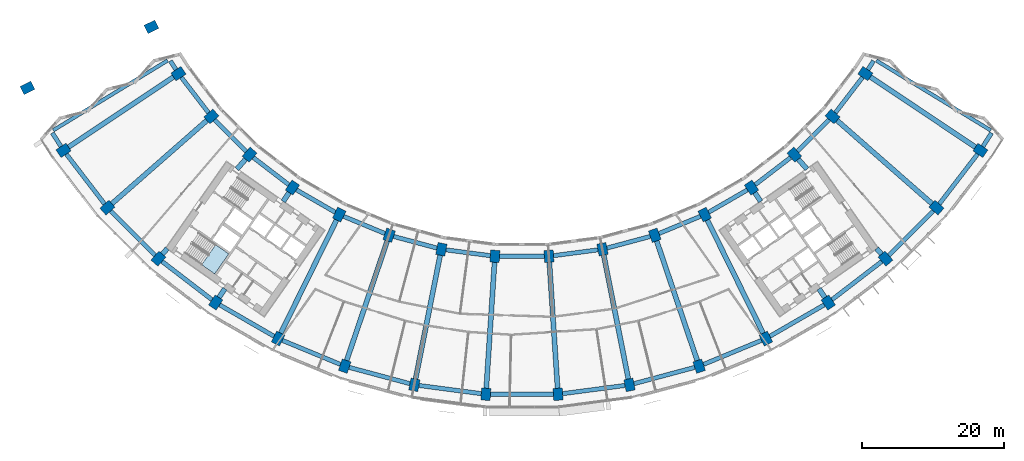
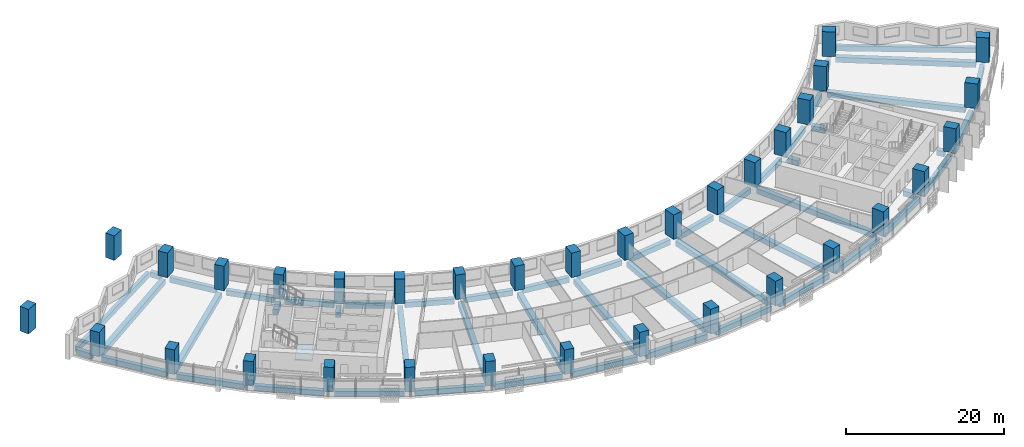
# One storey, part 1 of 31: 56 beams, 34 columns, 1 slab, 1 element without a shape of its own.
"""IFC4 building model written with IfcOpenShell, lengths in metres."""

from ifc_helpers import new_model, si_unit, direction, frame, origin, origin_2d, place, context, subcontext, project, spatial, polyline, rectangle, outline, extrude, material, layer, layer_set, material_profile, profile_set, type_object, element, aggregate, save


model = new_model("IFC4")

# Units and contexts
model_context = context("Model", 3, precision=1e-05, world=origin(), true_north=direction((0.0, 1.0)))
body_context = subcontext(model_context, "Body", "Model", "MODEL_VIEW")
ifc_project = project(units=[si_unit("LENGTHUNIT", "METRE"), si_unit("AREAUNIT", "SQUARE_METRE"), si_unit("VOLUMEUNIT", "CUBIC_METRE"), si_unit("PLANEANGLEUNIT", "RADIAN"), si_unit("MASSUNIT", "GRAM", prefix="KILO")], contexts=[model_context])

# Site, building, storey
site_placement = place(None, origin())
site = spatial("IfcSite", under=ifc_project, at=site_placement, CompositionType="ELEMENT")
building_placement = place(site_placement, origin())
building = spatial("IfcBuilding", under=site, at=building_placement, Name="Qamariyya Broadcast Tower", CompositionType="ELEMENT")
storey_placement = place(building_placement, frame((0.0, 0.0, 74.699951171875)))
storey = spatial("IfcBuildingStorey", under=building, at=storey_placement, Name="L15", CompositionType="ELEMENT", Elevation=74.699951171875)

# Columns
ifc_material_1 = material(Name="Concrete C70/85", Category="concrete")
ifc_material_profile_1 = material_profile(ifc_material_1, rectangle(XDim=1.300048828125, YDim=1.699951171875, at=origin_2d()))
ifc_profile_set_1 = profile_set([ifc_material_profile_1], Name="Concrete C70/85")
column_type = type_object("IfcColumnType", Name="RC column 1300 x 1700 C70/85", PredefinedType="COLUMN", material=ifc_profile_set_1)
for number, where, z_axis, x_axis, name in (
    (1, (-48.43310546875, -32.362060546875, 0.0), (0.0, 0.0, 1.0), (0.55557023302, -0.831469612303, 0.0), "Column C5 L15 B-R03"),
    (2, (-64.646728515625, -43.195556640625, 0.0), (0.0, 0.0, 1.0), (0.55557023302, -0.831469612303, 0.0), "Column C5 L15 C-R03"),
    (3, (-43.794677734375, -38.406982421875, 0.0), (0.0, 0.0, 1.0), (0.6593458151, -0.751839807479, 0.0), "Column C5 L15 B-R04"),
    (4, (-58.45556640625, -51.26416015625, 0.0), (0.0, 0.0, 1.0), (0.6593458151, -0.751839807479, 0.0), "Column C5 L15 C-R04"),
    (5, (-38.406982421875, -43.794677734375, 0.0), (0.0, 0.0, 1.0), (0.751839807479, -0.6593458151, 0.0), "Column C5 L15 B-R05"),
    (6, (-51.26416015625, -58.45556640625, 0.0), (0.0, 0.0, 1.0), (0.751839807479, -0.6593458151, 0.0), "Column C5 L15 C-R05"),
    (7, (-32.362060546875, -48.43310546875, 0.0), (0.0, 0.0, 1.0), (0.831469612303, -0.55557023302, 0.0), "Column C5 L15 B-R06"),
    (8, (-43.195556640625, -64.646728515625, 0.0), (0.0, 0.0, 1.0), (0.831469612303, -0.55557023302, 0.0), "Column C5 L15 C-R06"),
    (9, (-25.763427734375, -52.242919921875, 0.0), (0.0, 0.0, 1.0), (0.896872741533, -0.442288690219, 0.0), "Column C5 L15 B-R07"),
    (10, (-34.387939453125, -69.73193359375, 0.0), (0.0, 0.0, 1.0), (0.896872741533, -0.442288690219, 0.0), "Column C5 L15 C-R07"),
    (11, (-18.723876953125, -55.15869140625, 0.0), (0.0, 0.0, 1.0), (0.946930129495, -0.321439465303, 0.0), "Column C5 L15 B-R08"),
    (12, (-24.991943359375, -73.623779296875, 0.0), (0.0, 0.0, 1.0), (0.946930129495, -0.321439465303, 0.0), "Column C5 L15 C-R08"),
    (13, (-11.364013671875, -57.130859375, 0.0), (0.0, 0.0, 1.0), (0.980785280403, -0.195090322016, 0.0), "Column C5 L15 B-R09"),
    (14, (-15.168212890625, -76.256103515625, 0.0), (0.0, 0.0, 1.0), (0.980785280403, -0.195090322016, 0.0), "Column C5 L15 C-R09"),
    (15, (-3.809814453125, -58.125244140625, 0.0), (0.0, 0.0, 1.0), (0.997858923239, -0.06540312923, 0.0), "Column C5 L15 B-R10"),
    (16, (-5.085205078125, -77.58349609375, 0.0), (0.0, 0.0, 1.0), (0.997858923239, -0.06540312923, 0.0), "Column C5 L15 C-R10"),
    (17, (3.809814453125, -58.125244140625, 0.0), (0.0, 0.0, 1.0), (0.997858923239, 0.06540312923, 0.0), "Column C5 L15 B-R11"),
    (18, (5.085205078125, -77.58349609375, 0.0), (0.0, 0.0, 1.0), (0.997858923239, 0.06540312923, 0.0), "Column C5 L15 C-R11"),
    (19, (11.364013671875, -57.130859375, 0.0), (0.0, 0.0, 1.0), (0.980785280403, 0.195090322016, 0.0), "Column C5 L15 B-R12"),
    (20, (15.168212890625, -76.256103515625, 0.0), (0.0, 0.0, 1.0), (0.980785280403, 0.195090322016, 0.0), "Column C5 L15 C-R12"),
    (21, (18.723876953125, -55.15869140625, 0.0), (0.0, 0.0, 1.0), (0.946930129495, 0.321439465303, 0.0), "Column C5 L15 B-R13"),
    (22, (24.991943359375, -73.623779296875, 0.0), (0.0, 0.0, 1.0), (0.946930129495, 0.321439465303, 0.0), "Column C5 L15 C-R13"),
    (23, (25.763427734375, -52.242919921875, 0.0), (0.0, 0.0, 1.0), (0.896872741533, 0.442288690219, 0.0), "Column C5 L15 B-R14"),
    (24, (34.387939453125, -69.73193359375, 0.0), (0.0, 0.0, 1.0), (0.896872741533, 0.442288690219, 0.0), "Column C5 L15 C-R14"),
    (25, (32.362060546875, -48.43310546875, 0.0), (0.0, 0.0, 1.0), (0.831469612303, 0.55557023302, 0.0), "Column C5 L15 B-R15"),
    (26, (43.195556640625, -64.646728515625, 0.0), (0.0, 0.0, 1.0), (0.831469612303, 0.55557023302, 0.0), "Column C5 L15 C-R15"),
    (27, (38.406982421875, -43.794677734375, 0.0), (0.0, 0.0, 1.0), (0.751839807479, 0.6593458151, 0.0), "Column C5 L15 B-R16"),
    (28, (51.26416015625, -58.45556640625, 0.0), (0.0, 0.0, 1.0), (0.751839807479, 0.6593458151, 0.0), "Column C5 L15 C-R16"),
    (29, (43.794677734375, -38.406982421875, 0.0), (0.0, 0.0, 1.0), (0.6593458151, 0.751839807479, 0.0), "Column C5 L15 B-R17"),
    (30, (58.45556640625, -51.26416015625, 0.0), (0.0, 0.0, 1.0), (0.6593458151, 0.751839807479, 0.0), "Column C5 L15 C-R17"),
    (31, (48.43310546875, -32.362060546875, 0.0), (0.0, 0.0, 1.0), (0.55557023302, 0.831469612303, 0.0), "Column C5 L15 B-R18"),
    (32, (64.646728515625, -43.195556640625, 0.0), (0.0, 0.0, 1.0), (0.55557023302, 0.831469612303, 0.0), "Column C5 L15 C-R18"),
    (33, (-52.242919921875, -25.763427734375, 0.0), (0.0, 0.0, 1.0), (0.442288690219, -0.896872741533, 0.0), "Column C5 L15 B-R02"),
    (34, (-69.73193359375, -34.387939453125, 0.0), (0.0, 0.0, 1.0), (0.442288690219, -0.896872741533, 0.0), "Column C5 L15 C-R02"),
):
    element("IfcColumn", number, at=place(storey_placement, frame(where, z_axis=z_axis, x_axis=x_axis)), inside=storey, type_object=column_type, Name=name, PredefinedType="COLUMN", context=body_context, shape_type="SweptSolid", body=[
        extrude(rectangle(XDim=1.300048828125, YDim=1.699951171875, at=origin_2d()), origin(), (0.0, 0.0, 1.0), 3.800048828125),
    ])

# Beams
ifc_material_2 = material(Name="Concrete C50/60", Category="concrete")
ifc_material_profile_2 = material_profile(ifc_material_2, rectangle(XDim=0.60009765625, YDim=0.800048828125, at=origin_2d()))
ifc_profile_set_2 = profile_set([ifc_material_profile_2], Name="Concrete C50/60")
beam_type_1 = type_object("IfcBeamType", Name="RC edge beam 600 x 800 C50/60", PredefinedType="SPANDREL", material=ifc_profile_set_2)
beam_1_placement = place(storey_placement, frame((-48.03662109375, -32.878662109375, -0.699951171875), z_axis=(0.608763348773, -0.7933518672, 0.0), x_axis=(0.7933518672, 0.608763348773, 0.0)))
element("IfcBeam", 35, at=beam_1_placement, inside=storey, type_object=beam_type_1, Name="Edge beam B6 L15 B R03-R04", PredefinedType="SPANDREL", context=body_context, shape_type="SweptSolid", body=[
    extrude(rectangle(XDim=0.60009765625, YDim=0.800048828125, at=origin_2d()), origin(), (0.0, 0.0, 1.0), 6.31689453125),
])
beam_2_placement = place(storey_placement, frame((-43.333984375, -38.867431640625, -0.699951171875), z_axis=(0.707106781187, -0.707106781187, 0.0), x_axis=(0.707106781187, 0.707106781187, 0.0)))
element("IfcBeam", 36, at=beam_2_placement, inside=storey, type_object=beam_type_1, Name="Edge beam B6 L15 B R04-R05", PredefinedType="SPANDREL", context=body_context, shape_type="SweptSolid", body=[
    extrude(rectangle(XDim=0.60009765625, YDim=0.800048828125, at=origin_2d()), origin(), (0.0, 0.0, 1.0), 6.316650390625),
])
for number, where, z_axis, x_axis, name in (
    (37, (-37.89013671875, -44.191162109375, -0.699951171875), (0.7933518672, -0.608763348773, 0.0), (0.608763348773, 0.7933518672, 0.0), "Edge beam B6 L15 B R05-R06"),
    (38, (-31.7978515625, -48.7587890625, -0.699951171875), (0.866020173512, -0.500009058987, 0.0), (0.500009058987, 0.866020173512, 0.0), "Edge beam B6 L15 B R06-R07"),
):
    element("IfcBeam", number, at=place(storey_placement, frame(where, z_axis=z_axis, x_axis=x_axis)), inside=storey, type_object=beam_type_1, Name=name, PredefinedType="SPANDREL", context=body_context, shape_type="SweptSolid", body=[
        extrude(rectangle(XDim=0.60009765625, YDim=0.800048828125, at=origin_2d()), origin(), (0.0, 0.0, 1.0), 6.31689453125),
    ])
for number, where, z_axis, x_axis, name in (
    (39, (-25.16162109375, -52.4921875, -0.699951171875), (0.923884465345, -0.382671523234, 0.0), (0.382671523234, 0.923884465345, 0.0), "Edge beam B6 L15 B R07-R08"),
    (40, (-18.0947265625, -55.327392578125, -0.699951171875), (0.965931490327, -0.258797905699, 0.0), (0.258797905699, 0.965931490327, 0.0), "Edge beam B6 L15 B R08-R09"),
    (41, (-10.71826171875, -57.2158203125, -0.699951171875), (0.991445610946, -0.130520498525, 0.0), (0.130520498525, 0.991445610946, 0.0), "Edge beam B6 L15 B R09-R10"),
):
    element("IfcBeam", number, at=place(storey_placement, frame(where, z_axis=z_axis, x_axis=x_axis)), inside=storey, type_object=beam_type_1, Name=name, PredefinedType="SPANDREL", context=body_context, shape_type="SweptSolid", body=[
        extrude(rectangle(XDim=0.60009765625, YDim=0.800048828125, at=origin_2d()), origin(), (0.0, 0.0, 1.0), 6.316650390625),
    ])
beam_3_placement = place(storey_placement, frame((-3.158447265625, -58.125244140625, -0.699951171875), z_axis=(1.0, 0.0, 0.0), x_axis=(0.0, 1.0, 0.0)))
element("IfcBeam", 42, at=beam_3_placement, inside=storey, type_object=beam_type_1, Name="Edge beam B6 L15 B R10-R11", PredefinedType="SPANDREL", context=body_context, shape_type="SweptSolid", body=[
    extrude(rectangle(XDim=0.60009765625, YDim=0.800048828125, at=origin_2d()), origin(), (0.0, 0.0, 1.0), 6.31689453125),
])
for number, where, z_axis, x_axis, name in (
    (43, (4.45556640625, -58.040283203125, -0.699951171875), (0.991445610946, 0.130520498525, 0.0), (-0.130520498525, 0.991445610946, 0.0), "Edge beam B6 L15 B R11-R12"),
    (44, (11.9931640625, -56.962158203125, -0.699951171875), (0.965931490327, 0.258797905699, 0.0), (-0.258797905699, 0.965931490327, 0.0), "Edge beam B6 L15 B R12-R13"),
    (45, (19.32568359375, -54.909423828125, -0.699951171875), (0.923884465345, 0.382671523234, 0.0), (-0.382671523234, 0.923884465345, 0.0), "Edge beam B6 L15 B R13-R14"),
):
    element("IfcBeam", number, at=place(storey_placement, frame(where, z_axis=z_axis, x_axis=x_axis)), inside=storey, type_object=beam_type_1, Name=name, PredefinedType="SPANDREL", context=body_context, shape_type="SweptSolid", body=[
        extrude(rectangle(XDim=0.60009765625, YDim=0.800048828125, at=origin_2d()), origin(), (0.0, 0.0, 1.0), 6.316650390625),
    ])
for number, where, z_axis, x_axis, name in (
    (46, (26.327392578125, -51.917236328125, -0.699951171875), (0.866020173512, 0.500009058987, 0.0), (-0.500009058987, 0.866020173512, 0.0), "Edge beam B6 L15 B R14-R15"),
    (47, (32.878662109375, -48.03662109375, -0.699951171875), (0.7933518672, 0.608763348773, 0.0), (-0.608763348773, 0.7933518672, 0.0), "Edge beam B6 L15 B R15-R16"),
):
    element("IfcBeam", number, at=place(storey_placement, frame(where, z_axis=z_axis, x_axis=x_axis)), inside=storey, type_object=beam_type_1, Name=name, PredefinedType="SPANDREL", context=body_context, shape_type="SweptSolid", body=[
        extrude(rectangle(XDim=0.60009765625, YDim=0.800048828125, at=origin_2d()), origin(), (0.0, 0.0, 1.0), 6.31689453125),
    ])
beam_4_placement = place(storey_placement, frame((38.867431640625, -43.333984375, -0.699951171875), z_axis=(0.707106781187, 0.707106781187, 0.0), x_axis=(-0.707106781187, 0.707106781187, 0.0)))
element("IfcBeam", 48, at=beam_4_placement, inside=storey, type_object=beam_type_1, Name="Edge beam B6 L15 B R16-R17", PredefinedType="SPANDREL", context=body_context, shape_type="SweptSolid", body=[
    extrude(rectangle(XDim=0.60009765625, YDim=0.800048828125, at=origin_2d()), origin(), (0.0, 0.0, 1.0), 6.316650390625),
])
beam_5_placement = place(storey_placement, frame((44.191162109375, -37.89013671875, -0.699951171875), z_axis=(0.608763348773, 0.7933518672, 0.0), x_axis=(-0.7933518672, 0.608763348773, 0.0)))
element("IfcBeam", 49, at=beam_5_placement, inside=storey, type_object=beam_type_1, Name="Edge beam B6 L15 B R17-R18", PredefinedType="SPANDREL", context=body_context, shape_type="SweptSolid", body=[
    extrude(rectangle(XDim=0.60009765625, YDim=0.800048828125, at=origin_2d()), origin(), (0.0, 0.0, 1.0), 6.31689453125),
])
beam_6_placement = place(storey_placement, frame((-64.250244140625, -43.71240234375, -0.699951171875), z_axis=(0.608769622928, -0.793347052809, 0.0), x_axis=(0.793347052809, 0.608769622928, 0.0)))
element("IfcBeam", 50, at=beam_6_placement, inside=storey, type_object=beam_type_1, Name="Edge beam B6 L15 C R03-R04", PredefinedType="SPANDREL", context=body_context, shape_type="SweptSolid", body=[
    extrude(rectangle(XDim=0.60009765625, YDim=0.800048828125, at=origin_2d()), origin(), (0.0, 0.0, 1.0), 8.867431640625),
])
beam_7_placement = place(storey_placement, frame((-57.994873046875, -51.724853515625, -0.699951171875), z_axis=(0.707106781187, -0.707106781187, 0.0), x_axis=(0.707106781187, 0.707106781187, 0.0)))
element("IfcBeam", 51, at=beam_7_placement, inside=storey, type_object=beam_type_1, Name="Edge beam B6 L15 C R04-R05", PredefinedType="SPANDREL", context=body_context, shape_type="SweptSolid", body=[
    extrude(rectangle(XDim=0.60009765625, YDim=0.800048828125, at=origin_2d()), origin(), (0.0, 0.0, 1.0), 8.8671875),
])
beam_8_placement = place(storey_placement, frame((-50.747314453125, -58.85205078125, -0.699951171875), z_axis=(0.793347052809, -0.608769622928, 0.0), x_axis=(0.608769622928, 0.793347052809, 0.0)))
element("IfcBeam", 52, at=beam_8_placement, inside=storey, type_object=beam_type_1, Name="Edge beam B6 L15 C R05-R06", PredefinedType="SPANDREL", context=body_context, shape_type="SweptSolid", body=[
    extrude(rectangle(XDim=0.60009765625, YDim=0.800048828125, at=origin_2d()), origin(), (0.0, 0.0, 1.0), 8.867431640625),
])
beam_9_placement = place(storey_placement, frame((-42.63134765625, -64.972412109375, -0.699951171875), z_axis=(0.866013187848, -0.500021158025, 0.0), x_axis=(0.500021158025, 0.866013187848, 0.0)))
element("IfcBeam", 53, at=beam_9_placement, inside=storey, type_object=beam_type_1, Name="Edge beam B6 L15 C R06-R07", PredefinedType="SPANDREL", context=body_context, shape_type="SweptSolid", body=[
    extrude(rectangle(XDim=0.60009765625, YDim=0.800048828125, at=origin_2d()), origin(), (0.0, 0.0, 1.0), 8.8671875),
])
for number, where, z_axis, x_axis, name in (
    (54, (-33.7861328125, -69.981201171875, -0.699951171875), (0.923882942367, -0.382675200142, 0.0), (0.382675200142, 0.923882942367, 0.0), "Edge beam B6 L15 C R07-R08"),
    (55, (-24.36279296875, -73.79248046875, -0.699951171875), (0.965930847021, -0.258800306749, 0.0), (0.258800306749, 0.965930847021, 0.0), "Edge beam B6 L15 C R08-R09"),
    (56, (-14.5224609375, -76.341064453125, -0.699951171875), (0.991444171706, -0.13053143066, 0.0), (0.13053143066, 0.991444171706, 0.0), "Edge beam B6 L15 C R09-R10"),
):
    element("IfcBeam", number, at=place(storey_placement, frame(where, z_axis=z_axis, x_axis=x_axis)), inside=storey, type_object=beam_type_1, Name=name, PredefinedType="SPANDREL", context=body_context, shape_type="SweptSolid", body=[
        extrude(rectangle(XDim=0.60009765625, YDim=0.800048828125, at=origin_2d()), origin(), (0.0, 0.0, 1.0), 8.867431640625),
    ])
beam_10_placement = place(storey_placement, frame((-4.43359375, -77.58349609375, -0.699951171875), z_axis=(1.0, 0.0, 0.0), x_axis=(0.0, 1.0, 0.0)))
element("IfcBeam", 57, at=beam_10_placement, inside=storey, type_object=beam_type_1, Name="Edge beam B6 L15 C R10-R11", PredefinedType="SPANDREL", context=body_context, shape_type="SweptSolid", body=[
    extrude(rectangle(XDim=0.60009765625, YDim=0.800048828125, at=origin_2d()), origin(), (0.0, 0.0, 1.0), 8.8671875),
])
for number, where, z_axis, x_axis, name in (
    (58, (5.73095703125, -77.49853515625, -0.699951171875), (0.991444171706, 0.13053143066, 0.0), (-0.13053143066, 0.991444171706, 0.0), "Edge beam B6 L15 C R11-R12"),
    (59, (15.79736328125, -76.08740234375, -0.699951171875), (0.965930847021, 0.258800306749, 0.0), (-0.258800306749, 0.965930847021, 0.0), "Edge beam B6 L15 C R12-R13"),
    (60, (25.59375, -73.37451171875, -0.699951171875), (0.923882942367, 0.382675200142, 0.0), (-0.382675200142, 0.923882942367, 0.0), "Edge beam B6 L15 C R13-R14"),
):
    element("IfcBeam", number, at=place(storey_placement, frame(where, z_axis=z_axis, x_axis=x_axis)), inside=storey, type_object=beam_type_1, Name=name, PredefinedType="SPANDREL", context=body_context, shape_type="SweptSolid", body=[
        extrude(rectangle(XDim=0.60009765625, YDim=0.800048828125, at=origin_2d()), origin(), (0.0, 0.0, 1.0), 8.867431640625),
    ])
beam_11_placement = place(storey_placement, frame((34.9521484375, -69.40625, -0.699951171875), z_axis=(0.866013187848, 0.500021158025, 0.0), x_axis=(-0.500021158025, 0.866013187848, 0.0)))
element("IfcBeam", 61, at=beam_11_placement, inside=storey, type_object=beam_type_1, Name="Edge beam B6 L15 C R14-R15", PredefinedType="SPANDREL", context=body_context, shape_type="SweptSolid", body=[
    extrude(rectangle(XDim=0.60009765625, YDim=0.800048828125, at=origin_2d()), origin(), (0.0, 0.0, 1.0), 8.8671875),
])
beam_12_placement = place(storey_placement, frame((43.71240234375, -64.250244140625, -0.699951171875), z_axis=(0.793347052809, 0.608769622928, 0.0), x_axis=(-0.608769622928, 0.793347052809, 0.0)))
element("IfcBeam", 62, at=beam_12_placement, inside=storey, type_object=beam_type_1, Name="Edge beam B6 L15 C R15-R16", PredefinedType="SPANDREL", context=body_context, shape_type="SweptSolid", body=[
    extrude(rectangle(XDim=0.60009765625, YDim=0.800048828125, at=origin_2d()), origin(), (0.0, 0.0, 1.0), 8.867431640625),
])
beam_13_placement = place(storey_placement, frame((51.724853515625, -57.994873046875, -0.699951171875), z_axis=(0.707106781187, 0.707106781187, 0.0), x_axis=(-0.707106781187, 0.707106781187, 0.0)))
element("IfcBeam", 63, at=beam_13_placement, inside=storey, type_object=beam_type_1, Name="Edge beam B6 L15 C R16-R17", PredefinedType="SPANDREL", context=body_context, shape_type="SweptSolid", body=[
    extrude(rectangle(XDim=0.60009765625, YDim=0.800048828125, at=origin_2d()), origin(), (0.0, 0.0, 1.0), 8.8671875),
])
beam_14_placement = place(storey_placement, frame((58.85205078125, -50.747314453125, -0.699951171875), z_axis=(0.608769622928, 0.793347052809, 0.0), x_axis=(-0.793347052809, 0.608769622928, 0.0)))
element("IfcBeam", 64, at=beam_14_placement, inside=storey, type_object=beam_type_1, Name="Edge beam B6 L15 C R17-R18", PredefinedType="SPANDREL", context=body_context, shape_type="SweptSolid", body=[
    extrude(rectangle(XDim=0.60009765625, YDim=0.800048828125, at=origin_2d()), origin(), (0.0, 0.0, 1.0), 8.867431640625),
])
ifc_material_profile_3 = material_profile(ifc_material_2, rectangle(XDim=0.60009765625, YDim=0.800048828125, at=origin_2d()))
ifc_profile_set_3 = profile_set([ifc_material_profile_3], Name="Concrete C50/60")
beam_type_2 = type_object("IfcBeamType", Name="RC horn beam 600 x 800 C50/60", PredefinedType="BEAM", material=ifc_profile_set_3)
beam_15_placement = place(storey_placement, frame((-48.783203125, -31.814208984375, -0.699951171875), z_axis=(-0.538490406693, 0.842631640695, 0.0), x_axis=(-0.842631640695, -0.538490406693, 0.0)))
element("IfcBeam", 65, at=beam_15_placement, inside=storey, type_object=beam_type_2, Name="Horn beam B7 L15 W B-R03", PredefinedType="BEAM", context=body_context, shape_type="SweptSolid", body=[
    extrude(rectangle(XDim=0.60009765625, YDim=0.800048828125, at=origin_2d()), origin(), (0.0, 0.0, 1.0), 1.476318359375),
])
beam_16_placement = place(storey_placement, frame((-64.996826171875, -42.647705078125, -0.699951171875), z_axis=(-0.538550389381, 0.842593305277, 0.0), x_axis=(-0.842593305277, -0.538550389381, 0.0)))
element("IfcBeam", 66, at=beam_16_placement, inside=storey, type_object=beam_type_2, Name="Horn beam B7 L15 W C-R03", PredefinedType="BEAM", context=body_context, shape_type="SweptSolid", body=[
    extrude(rectangle(XDim=0.60009765625, YDim=0.800048828125, at=origin_2d()), origin(), (0.0, 0.0, 1.0), 2.271728515625),
])
beam_17_placement = place(storey_placement, frame((48.783203125, -31.814208984375, -0.699951171875), z_axis=(0.538490406693, 0.842631640695, 0.0), x_axis=(-0.842631640695, 0.538490406693, 0.0)))
element("IfcBeam", 67, at=beam_17_placement, inside=storey, type_object=beam_type_2, Name="Horn beam B7 L15 E B-R18", PredefinedType="BEAM", context=body_context, shape_type="SweptSolid", body=[
    extrude(rectangle(XDim=0.60009765625, YDim=0.800048828125, at=origin_2d()), origin(), (0.0, 0.0, 1.0), 1.476318359375),
])
beam_18_placement = place(storey_placement, frame((64.996826171875, -42.647705078125, -0.699951171875), z_axis=(0.538550389381, 0.842593305277, 0.0), x_axis=(-0.842593305277, 0.538550389381, 0.0)))
element("IfcBeam", 68, at=beam_18_placement, inside=storey, type_object=beam_type_2, Name="Horn beam B7 L15 E C-R18", PredefinedType="BEAM", context=body_context, shape_type="SweptSolid", body=[
    extrude(rectangle(XDim=0.60009765625, YDim=0.800048828125, at=origin_2d()), origin(), (0.0, 0.0, 1.0), 2.271728515625),
])
ifc_material_profile_4 = material_profile(ifc_material_2, rectangle(XDim=0.5, YDim=0.800048828125, at=origin_2d()))
ifc_profile_set_4 = profile_set([ifc_material_profile_4], Name="Concrete C50/60")
beam_type_3 = type_object("IfcBeamType", Name="RC horn cap beam 500 x 800 C50/60", PredefinedType="BEAM", material=ifc_profile_set_4)
for number, where, z_axis, x_axis, name in (
    (69, (-49.96875, -30.51611328125, -0.699951171875), (-0.853436342261, -0.521197092958, 0.0), (0.521197092958, -0.853436342261, 0.0), "Horn cap beam B8 L15 W B-C"),
    (70, (49.96875, -30.51611328125, -0.699951171875), (0.853436342261, -0.521197092958, 0.0), (0.521197092958, 0.853436342261, 0.0), "Horn cap beam B8 L15 E B-C"),
):
    element("IfcBeam", number, at=place(storey_placement, frame(where, z_axis=z_axis, x_axis=x_axis)), inside=storey, type_object=beam_type_3, Name=name, PredefinedType="BEAM", context=body_context, shape_type="SweptSolid", body=[
        extrude(rectangle(XDim=0.5, YDim=0.800048828125, at=origin_2d()), origin(), (0.0, 0.0, 1.0), 18.89990234375),
    ])
ifc_material_profile_5 = material_profile(ifc_material_2, rectangle(XDim=0.699951171875, YDim=0.800048828125, at=origin_2d()))
ifc_profile_set_5 = profile_set([ifc_material_profile_5], Name="Concrete C50/60")
beam_type_4 = type_object("IfcBeamType", Name="RC radial beam 700 x 800 C50/60", PredefinedType="BEAM", material=ifc_profile_set_5)
for number, where, z_axis, x_axis, name in (
    (71, (-49.139892578125, -32.834228515625, -0.699951171875), (-0.831467440413, -0.555573483469, 0.0), (0.555573483469, -0.831467440413, 0.0), "Radial beam B5 L15 R03 B-C"),
    (72, (-44.433837890625, -38.96728515625, -0.699951171875), (-0.751836168626, -0.659349964393, 0.0), (0.659349964393, -0.751836168626, 0.0), "Radial beam B5 L15 R04 B-C"),
):
    element("IfcBeam", number, at=place(storey_placement, frame(where, z_axis=z_axis, x_axis=x_axis)), inside=storey, type_object=beam_type_4, Name=name, PredefinedType="BEAM", context=body_context, shape_type="SweptSolid", body=[
        extrude(rectangle(XDim=0.699951171875, YDim=0.800048828125, at=origin_2d()), origin(), (0.0, 0.0, 1.0), 17.7998046875),
    ])
beam_19_placement = place(storey_placement, frame((-38.96728515625, -44.433837890625, -0.699951171875), z_axis=(-0.659385827408, -0.751804715743, 0.0), x_axis=(0.751804715743, -0.659385827408, 0.0)))
element("IfcBeam", 73, at=beam_19_placement, inside=storey, type_object=beam_type_4, Name="Radial beam B5 L15 R05 B-C", PredefinedType="BEAM", context=body_context, shape_type="SweptSolid", body=[
    extrude(rectangle(XDim=0.699951171875, YDim=0.800048828125, at=origin_2d()), origin(), (0.0, 0.0, 1.0), 1.8623046875),
])
beam_20_placement = place(storey_placement, frame((-50.011962890625, -57.027587890625, -0.699951171875), z_axis=(-0.659278599496, -0.751898748667, 0.0), x_axis=(0.751898748667, -0.659278599496, 0.0)))
element("IfcBeam", 74, at=beam_20_placement, inside=storey, type_object=beam_type_4, Name="Radial beam B5 L15 R05 B-C", PredefinedType="BEAM", context=body_context, shape_type="SweptSolid", body=[
    extrude(rectangle(XDim=0.699951171875, YDim=0.800048828125, at=origin_2d()), origin(), (0.0, 0.0, 1.0), 1.049072265625),
])
beam_21_placement = place(storey_placement, frame((-32.834228515625, -49.139892578125, -0.699951171875), z_axis=(-0.555518362002, -0.831504269068, 0.0), x_axis=(0.831504269068, -0.555518362002, 0.0)))
element("IfcBeam", 75, at=beam_21_placement, inside=storey, type_object=beam_type_4, Name="Radial beam B5 L15 R06 B-C", PredefinedType="BEAM", context=body_context, shape_type="SweptSolid", body=[
    extrude(rectangle(XDim=0.699951171875, YDim=0.800048828125, at=origin_2d()), origin(), (0.0, 0.0, 1.0), 1.514404296875),
])
beam_22_placement = place(storey_placement, frame((-41.89990234375, -62.707763671875, -0.699951171875), z_axis=(-0.555650227013, -0.831416156459, 0.0), x_axis=(0.831416156459, -0.555650227013, 0.0)))
element("IfcBeam", 76, at=beam_22_placement, inside=storey, type_object=beam_type_4, Name="Radial beam B5 L15 R06 B-C", PredefinedType="BEAM", context=body_context, shape_type="SweptSolid", body=[
    extrude(rectangle(XDim=0.699951171875, YDim=0.800048828125, at=origin_2d()), origin(), (0.0, 0.0, 1.0), 1.48193359375),
])
beam_23_placement = place(storey_placement, frame((-26.13916015625, -53.005126953125, -0.699951171875), z_axis=(-0.442291123934, -0.896871541353, 0.0), x_axis=(0.896871541353, -0.442291123934, 0.0)))
element("IfcBeam", 77, at=beam_23_placement, inside=storey, type_object=beam_type_4, Name="Radial beam B5 L15 R07 B-C", PredefinedType="BEAM", context=body_context, shape_type="SweptSolid", body=[
    extrude(rectangle(XDim=0.699951171875, YDim=0.800048828125, at=origin_2d()), origin(), (0.0, 0.0, 1.0), 17.800048828125),
])
beam_24_placement = place(storey_placement, frame((-18.9970703125, -55.963623046875, -0.699951171875), z_axis=(-0.321444599042, -0.94692838681, 0.0), x_axis=(0.94692838681, -0.321444599042, 0.0)))
element("IfcBeam", 78, at=beam_24_placement, inside=storey, type_object=beam_type_4, Name="Radial beam B5 L15 R08 B-C", PredefinedType="BEAM", context=body_context, shape_type="SweptSolid", body=[
    extrude(rectangle(XDim=0.699951171875, YDim=0.800048828125, at=origin_2d()), origin(), (0.0, 0.0, 1.0), 17.7998046875),
])
for number, where, z_axis, x_axis, name in (
    (79, (-11.52978515625, -57.96435546875, -0.699951171875), (-0.19509262344, -0.980784822619, 0.0), (0.980784822619, -0.19509262344, 0.0), "Radial beam B5 L15 R09 B-C"),
    (80, (-3.865234375, -58.973388671875, -0.699951171875), (-0.0654101824, -0.997858460924, 0.0), (0.997858460924, -0.0654101824, 0.0), "Radial beam B5 L15 R10 B-C"),
    (81, (3.865234375, -58.973388671875, -0.699951171875), (0.0654101824, -0.997858460924, 0.0), (0.997858460924, 0.0654101824, 0.0), "Radial beam B5 L15 R11 B-C"),
    (82, (11.52978515625, -57.96435546875, -0.699951171875), (0.19509262344, -0.980784822619, 0.0), (0.980784822619, 0.19509262344, 0.0), "Radial beam B5 L15 R12 B-C"),
):
    element("IfcBeam", number, at=place(storey_placement, frame(where, z_axis=z_axis, x_axis=x_axis)), inside=storey, type_object=beam_type_4, Name=name, PredefinedType="BEAM", context=body_context, shape_type="SweptSolid", body=[
        extrude(rectangle(XDim=0.699951171875, YDim=0.800048828125, at=origin_2d()), origin(), (0.0, 0.0, 1.0), 17.800048828125),
    ])
beam_25_placement = place(storey_placement, frame((18.9970703125, -55.963623046875, -0.699951171875), z_axis=(0.321444599042, -0.94692838681, 0.0), x_axis=(0.94692838681, 0.321444599042, 0.0)))
element("IfcBeam", 83, at=beam_25_placement, inside=storey, type_object=beam_type_4, Name="Radial beam B5 L15 R13 B-C", PredefinedType="BEAM", context=body_context, shape_type="SweptSolid", body=[
    extrude(rectangle(XDim=0.699951171875, YDim=0.800048828125, at=origin_2d()), origin(), (0.0, 0.0, 1.0), 17.7998046875),
])
beam_26_placement = place(storey_placement, frame((26.13916015625, -53.005126953125, -0.699951171875), z_axis=(0.442291123934, -0.896871541353, 0.0), x_axis=(0.896871541353, 0.442291123934, 0.0)))
element("IfcBeam", 84, at=beam_26_placement, inside=storey, type_object=beam_type_4, Name="Radial beam B5 L15 R14 B-C", PredefinedType="BEAM", context=body_context, shape_type="SweptSolid", body=[
    extrude(rectangle(XDim=0.699951171875, YDim=0.800048828125, at=origin_2d()), origin(), (0.0, 0.0, 1.0), 17.800048828125),
])
beam_27_placement = place(storey_placement, frame((32.834228515625, -49.139892578125, -0.699951171875), z_axis=(0.555518362002, -0.831504269068, 0.0), x_axis=(0.831504269068, 0.555518362002, 0.0)))
element("IfcBeam", 85, at=beam_27_placement, inside=storey, type_object=beam_type_4, Name="Radial beam B5 L15 R15 B-C", PredefinedType="BEAM", context=body_context, shape_type="SweptSolid", body=[
    extrude(rectangle(XDim=0.699951171875, YDim=0.800048828125, at=origin_2d()), origin(), (0.0, 0.0, 1.0), 1.514404296875),
])
beam_28_placement = place(storey_placement, frame((41.89990234375, -62.707763671875, -0.699951171875), z_axis=(0.555650227013, -0.831416156459, 0.0), x_axis=(0.831416156459, 0.555650227013, 0.0)))
element("IfcBeam", 86, at=beam_28_placement, inside=storey, type_object=beam_type_4, Name="Radial beam B5 L15 R15 B-C", PredefinedType="BEAM", context=body_context, shape_type="SweptSolid", body=[
    extrude(rectangle(XDim=0.699951171875, YDim=0.800048828125, at=origin_2d()), origin(), (0.0, 0.0, 1.0), 1.48193359375),
])
beam_29_placement = place(storey_placement, frame((38.96728515625, -44.433837890625, -0.699951171875), z_axis=(0.659385827408, -0.751804715743, 0.0), x_axis=(0.751804715743, 0.659385827408, 0.0)))
element("IfcBeam", 87, at=beam_29_placement, inside=storey, type_object=beam_type_4, Name="Radial beam B5 L15 R16 B-C", PredefinedType="BEAM", context=body_context, shape_type="SweptSolid", body=[
    extrude(rectangle(XDim=0.699951171875, YDim=0.800048828125, at=origin_2d()), origin(), (0.0, 0.0, 1.0), 1.8623046875),
])
beam_30_placement = place(storey_placement, frame((50.011962890625, -57.027587890625, -0.699951171875), z_axis=(0.659278599496, -0.751898748667, 0.0), x_axis=(0.751898748667, 0.659278599496, 0.0)))
element("IfcBeam", 88, at=beam_30_placement, inside=storey, type_object=beam_type_4, Name="Radial beam B5 L15 R16 B-C", PredefinedType="BEAM", context=body_context, shape_type="SweptSolid", body=[
    extrude(rectangle(XDim=0.699951171875, YDim=0.800048828125, at=origin_2d()), origin(), (0.0, 0.0, 1.0), 1.049072265625),
])
for number, where, z_axis, x_axis, name in (
    (89, (44.433837890625, -38.96728515625, -0.699951171875), (0.751836168626, -0.659349964393, 0.0), (0.659349964393, 0.751836168626, 0.0), "Radial beam B5 L15 R17 B-C"),
    (90, (49.139892578125, -32.834228515625, -0.699951171875), (0.831467440413, -0.555573483469, 0.0), (0.555573483469, 0.831467440413, 0.0), "Radial beam B5 L15 R18 B-C"),
):
    element("IfcBeam", number, at=place(storey_placement, frame(where, z_axis=z_axis, x_axis=x_axis)), inside=storey, type_object=beam_type_4, Name=name, PredefinedType="BEAM", context=body_context, shape_type="SweptSolid", body=[
        extrude(rectangle(XDim=0.699951171875, YDim=0.800048828125, at=origin_2d()), origin(), (0.0, 0.0, 1.0), 17.7998046875),
    ])

# Stair, slab
stair_type = type_object("IfcStairType", Name="Exit stair 22 risers of 173 mm", PredefinedType="HALF_TURN_STAIR", material=ifc_material_2)
stair_placement = place(storey_placement, origin())
stair = element("IfcStair", 91, at=stair_placement, inside=storey, type_object=stair_type, Name="L15 Stair W1", PredefinedType="HALF_TURN_STAIR")
ifc_layer = layer(ifc_material_2, 0.199951171875)
ifc_layer_set = layer_set([ifc_layer], Name="Stair landing")
slab_type = type_object("IfcSlabType", Name="Stair landing", PredefinedType="LANDING", material=ifc_layer_set)
slab_placement = place(storey_placement, frame((0.0, 0.0, 1.699951171875)))
slab = element("IfcSlab", 92, at=slab_placement, type_object=slab_type, Name="ST-W1 landing 1", PredefinedType="LANDING", context=body_context, shape_type="SweptSolid", body=[
    extrude(outline(polyline([(-45.169677734375, -59.319580078125), (-43.3271484375, -60.609619140625), (-41.348388671875, -57.783447265625), (-43.19091796875, -56.493408203125), (-45.169677734375, -59.319580078125)])), origin(), (0.0, 0.0, 1.0), 0.2001953125),
])
aggregate(stair, [slab])

save(model, "model.ifc")
